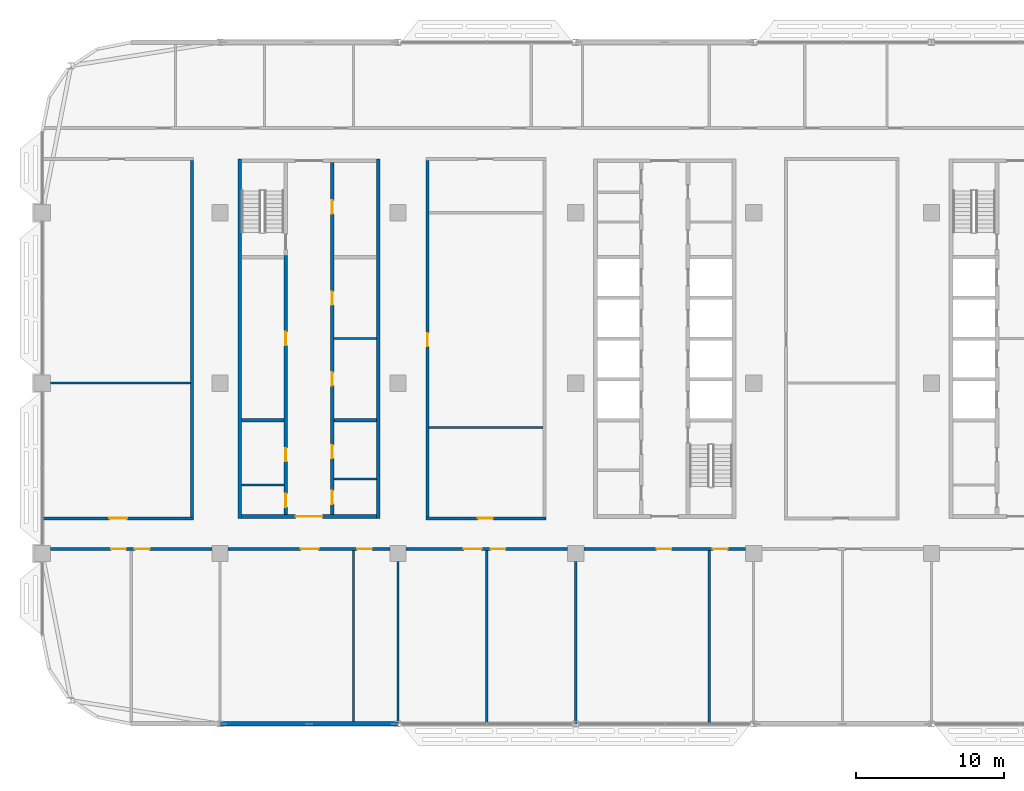
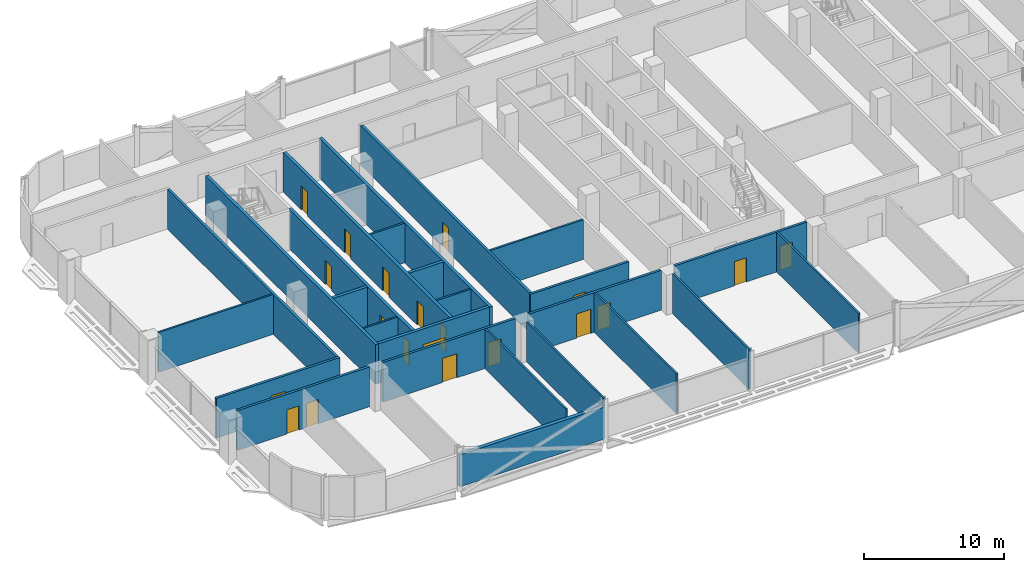
# One storey, part 13 of 30: 26 walls, 20 doors, 20 openings.
"""IFC4 building model written with IfcOpenShell, lengths in metres."""

from ifc_helpers import new_model, si_unit, direction, frame, frame_2d, origin, place, context, subcontext, project, spatial, rectangle, extrude, material, layer, layer_set, type_object, element, fill, save


model = new_model("IFC4")

# Units and contexts
model_context = context("Model", 3, precision=1e-05, world=origin(), true_north=direction((0.0, 1.0)))
body_context = subcontext(model_context, "Body", "Model", "MODEL_VIEW")
ifc_project = project(units=[si_unit("LENGTHUNIT", "METRE"), si_unit("AREAUNIT", "SQUARE_METRE"), si_unit("VOLUMEUNIT", "CUBIC_METRE"), si_unit("PLANEANGLEUNIT", "RADIAN"), si_unit("MASSUNIT", "GRAM", prefix="KILO")], contexts=[model_context])

# Site, building, storey
site_placement = place(None, origin())
site = spatial("IfcSite", under=ifc_project, at=site_placement, CompositionType="ELEMENT")
building_placement = place(site_placement, origin())
building = spatial("IfcBuilding", under=site, at=building_placement, Name="Mahtab Terrace Research Tower", CompositionType="ELEMENT")
storey_placement = place(building_placement, frame((0.0, 0.0, 201.5)))
storey = spatial("IfcBuildingStorey", under=building, at=storey_placement, Name="L48", CompositionType="ELEMENT", Elevation=201.5)

# Walls
ifc_material_1 = material(Name="Gypsum board partition")
ifc_layer_1 = layer(ifc_material_1, 0.14990234375)
ifc_layer_set_1 = layer_set([ifc_layer_1], Name="Core partition 150")
wall_type_1 = type_object("IfcWallType", Name="Core partition 150", PredefinedType="PARTITIONING", material=ifc_layer_set_1)
for number, where, z_axis, x_axis, name in (
    (1, (-22.300048828125, 3.0, 0.0), (0.0, 0.0, 1.0), (1.0, 0.0, 0.0), "Core wall A pEL0"),
    (2, (-28.550048828125, -6.875, 0.0), (0.0, 0.0, 1.0), (1.0, 0.0, 0.0), "Core wall A pWS-988"),
    (3, (-22.300048828125, -6.47509765625, 0.0), (0.0, 0.0, 1.0), (1.0, 0.0, 0.0), "Core wall A pES-948"),
):
    element("IfcWall", number, at=place(storey_placement, frame(where, z_axis=z_axis, x_axis=x_axis)), inside=storey, type_object=wall_type_1, Name=name, PredefinedType="PARTITIONING", context=body_context, shape_type="SweptSolid", body=[
        extrude(rectangle(XDim=2.85009765625, YDim=0.14990234375, at=frame_2d((1.425048828125, 0.0))), origin(), (0.0, 0.0, 1.0), 3.4599609375),
    ])
ifc_material_2 = material(Name="Concrete C70/85", Category="concrete")
ifc_layer_2 = layer(ifc_material_2, 0.25)
ifc_layer_set_2 = layer_set([ifc_layer_2], Name="Core wall 250")
wall_type_2 = type_object("IfcWallType", Name="Core wall 250", PredefinedType="SOLIDWALL", material=ifc_layer_set_2)
for number, where, z_axis, x_axis, name in (
    (4, (-28.675048828125, 15.125, 0.0), (0.0, 0.0, 1.0), (0.0, -1.0, 0.0), "Core wall A outerW"),
    (5, (-19.324951171875, -9.125, 0.0), (0.0, 0.0, 1.0), (0.0, 1.0, 0.0), "Core wall A outerE"),
):
    element("IfcWall", number, at=place(storey_placement, frame(where, z_axis=z_axis, x_axis=x_axis)), inside=storey, type_object=wall_type_2, Name=name, PredefinedType="SOLIDWALL", context=body_context, shape_type="SweptSolid", body=[
        extrude(rectangle(XDim=24.25, YDim=0.25, at=frame_2d((12.125, 0.0))), origin(), (0.0, 0.0, 1.0), 3.4599609375),
    ])

# Wall, opening, door
wall_1_placement = place(storey_placement, frame((-19.449951171875, -9.0, 0.0), z_axis=(0.0, 0.0, 1.0), x_axis=(-1.0, 0.0, 0.0)))
wall_1 = element("IfcWall", 6, at=wall_1_placement, inside=storey, type_object=wall_type_2, Name="Core wall A endS", PredefinedType="SOLIDWALL", context=body_context, shape_type="SweptSolid", body=[
    extrude(rectangle(XDim=9.10009765625, YDim=0.25, at=frame_2d((4.550048828125, 0.0))), origin(), (0.0, 0.0, 1.0), 3.4599609375),
])
opening_1_placement = place(wall_1_placement, frame((3.64990234375, 0.0, 0.0)))
opening_1 = element("IfcOpeningElement", 7, at=opening_1_placement, cuts=wall_1, Name="Opening A-S1", PredefinedType="OPENING", context=body_context, shape_type="SweptSolid", body=[
    extrude(rectangle(XDim=1.800048828125, YDim=2.10009765625, at=frame_2d((0.89990234375, 1.050048828125))), frame((0.0, 0.135009765625, 0.0), z_axis=(0.0, -1.0, 0.0), x_axis=(1.0, 0.0, 0.0)), (0.0, 0.0, 1.0), 0.27001953125),
])
ifc_material_3 = material(Name="Steel fire door", Category="steel")
door_type_1 = type_object("IfcDoorType", Name="Lobby double door 1800x2100 1 HR", OperationType="DOUBLE_DOOR_SINGLE_SWING", PredefinedType="DOOR", material=ifc_material_3)
door_1_placement = place(opening_1_placement, origin())
door_1 = element("IfcDoor", 8, at=door_1_placement, inside=storey, type_object=door_type_1, Name="Core entrance door A S", OperationType="DOUBLE_DOOR_SINGLE_SWING", OverallHeight=2.10009765625, OverallWidth=1.800048828125, PredefinedType="DOOR", context=body_context, shape_type="SweptSolid", body=[
    extrude(rectangle(XDim=1.800048828125, YDim=2.10009765625, at=frame_2d((0.89990234375, 1.050048828125))), frame((0.0, 0.02490234375, 0.0), z_axis=(0.0, -1.0, 0.0), x_axis=(1.0, 0.0, 0.0)), (0.0, 0.0, 1.0), 0.050048828125),
])
fill(opening_1, door_1)

# Wall, openings, doors
wall_2_placement = place(storey_placement, frame((-25.574951171875, -8.875, 0.0), z_axis=(0.0, 0.0, 1.0), x_axis=(0.0, 1.0, 0.0)))
wall_2 = element("IfcWall", 9, at=wall_2_placement, inside=storey, type_object=wall_type_2, Name="Core wall A innerWSL", PredefinedType="SOLIDWALL", context=body_context, shape_type="SweptSolid", body=[
    extrude(rectangle(XDim=17.5, YDim=0.25, at=frame_2d((8.75, 0.0))), origin(), (0.0, 0.0, 1.0), 3.4599609375),
])
opening_2_placement = place(wall_2_placement, frame((11.425048828125, 0.0, 0.0)))
opening_2 = element("IfcOpeningElement", 10, at=opening_2_placement, cuts=wall_2, Name="Opening A-R1", PredefinedType="OPENING", context=body_context, shape_type="SweptSolid", body=[
    extrude(rectangle(XDim=0.89990234375, YDim=2.10009765625, at=frame_2d((0.449951171875, 1.050048828125))), frame((0.0, 0.135009765625, 0.0), z_axis=(0.0, -1.0, 0.0), x_axis=(1.0, 0.0, 0.0)), (0.0, 0.0, 1.0), 0.27001953125),
])
opening_3_placement = place(wall_2_placement, frame((0.512451171875, 0.0, 0.0)))
opening_3 = element("IfcOpeningElement", 11, at=opening_3_placement, cuts=wall_2, Name="Opening A-R4", PredefinedType="OPENING", context=body_context, shape_type="SweptSolid", body=[
    extrude(rectangle(XDim=0.89990234375, YDim=2.10009765625, at=frame_2d((0.449951171875, 1.050048828125))), frame((0.0, 0.135009765625, 0.0), z_axis=(0.0, -1.0, 0.0), x_axis=(1.0, 0.0, 0.0)), (0.0, 0.0, 1.0), 0.27001953125),
])
opening_4_placement = place(wall_2_placement, frame((3.58740234375, 0.0, 0.0)))
opening_4 = element("IfcOpeningElement", 12, at=opening_4_placement, cuts=wall_2, Name="Opening A-R5", PredefinedType="OPENING", context=body_context, shape_type="SweptSolid", body=[
    extrude(rectangle(XDim=0.89990234375, YDim=2.10009765625, at=frame_2d((0.449951171875, 1.050048828125))), frame((0.0, 0.135009765625, 0.0), z_axis=(0.0, -1.0, 0.0), x_axis=(1.0, 0.0, 0.0)), (0.0, 0.0, 1.0), 0.27001953125),
])
door_type_2 = type_object("IfcDoorType", Name="Room door 900x2100 1 HR", OperationType="NOTDEFINED", PredefinedType="DOOR", material=ifc_material_3)
door_2_placement = place(opening_2_placement, origin())
door_2 = element("IfcDoor", 13, at=door_2_placement, inside=storey, type_object=door_type_2, Name="Plant room door", OperationType="SINGLE_SWING_LEFT", OverallHeight=2.10009765625, OverallWidth=0.89990234375, PredefinedType="DOOR", context=body_context, shape_type="SweptSolid", body=[
    extrude(rectangle(XDim=0.89990234375, YDim=2.10009765625, at=frame_2d((0.449951171875, 1.050048828125))), frame((0.0, 0.02490234375, 0.0), z_axis=(0.0, -1.0, 0.0), x_axis=(1.0, 0.0, 0.0)), (0.0, 0.0, 1.0), 0.050048828125),
])
fill(opening_2, door_2)
door_3_placement = place(opening_3_placement, origin())
door_3 = element("IfcDoor", 14, at=door_3_placement, inside=storey, type_object=door_type_2, Name="Accessible WC door", OperationType="SINGLE_SWING_RIGHT", OverallHeight=2.10009765625, OverallWidth=0.89990234375, PredefinedType="DOOR", context=body_context, shape_type="SweptSolid", body=[
    extrude(rectangle(XDim=0.89990234375, YDim=2.10009765625, at=frame_2d((0.449951171875, 1.050048828125))), frame((0.0, 0.02490234375, 0.0), z_axis=(0.0, -1.0, 0.0), x_axis=(1.0, 0.0, 0.0)), (0.0, 0.0, 1.0), 0.050048828125),
])
fill(opening_3, door_3)
door_4_placement = place(opening_4_placement, origin())
door_4 = element("IfcDoor", 15, at=door_4_placement, inside=storey, type_object=door_type_2, Name="WC block door", OperationType="SINGLE_SWING_LEFT", OverallHeight=2.10009765625, OverallWidth=0.89990234375, PredefinedType="DOOR", context=body_context, shape_type="SweptSolid", body=[
    extrude(rectangle(XDim=0.89990234375, YDim=2.10009765625, at=frame_2d((0.449951171875, 1.050048828125))), frame((0.0, 0.02490234375, 0.0), z_axis=(0.0, -1.0, 0.0), x_axis=(1.0, 0.0, 0.0)), (0.0, 0.0, 1.0), 0.050048828125),
])
fill(opening_4, door_4)

wall_3_placement = place(storey_placement, frame((-22.425048828125, 14.875, 0.0), z_axis=(0.0, 0.0, 1.0), x_axis=(0.0, -1.0, 0.0)))
wall_3 = element("IfcWall", 16, at=wall_3_placement, inside=storey, type_object=wall_type_2, Name="Core wall A innerESLN", PredefinedType="SOLIDWALL", context=body_context, shape_type="SweptSolid", body=[
    extrude(rectangle(XDim=23.75, YDim=0.25, at=frame_2d((11.875, 0.0))), origin(), (0.0, 0.0, 1.0), 3.4599609375),
])
opening_5_placement = place(wall_3_placement, frame((14.14990234375, 0.0, 0.0)))
opening_5 = element("IfcOpeningElement", 17, at=opening_5_placement, cuts=wall_3, Name="Opening A-R2", PredefinedType="OPENING", context=body_context, shape_type="SweptSolid", body=[
    extrude(rectangle(XDim=0.89990234375, YDim=2.10009765625, at=frame_2d((0.449951171875, 1.050048828125))), frame((0.0, 0.135009765625, 0.0), z_axis=(0.0, -1.0, 0.0), x_axis=(1.0, 0.0, 0.0)), (0.0, 0.0, 1.0), 0.27001953125),
])
opening_6_placement = place(wall_3_placement, frame((8.699951171875, 0.0, 0.0)))
opening_6 = element("IfcOpeningElement", 18, at=opening_6_placement, cuts=wall_3, Name="Opening A-R3", PredefinedType="OPENING", context=body_context, shape_type="SweptSolid", body=[
    extrude(rectangle(XDim=0.89990234375, YDim=2.10009765625, at=frame_2d((0.449951171875, 1.050048828125))), frame((0.0, 0.135009765625, 0.0), z_axis=(0.0, -1.0, 0.0), x_axis=(1.0, 0.0, 0.0)), (0.0, 0.0, 1.0), 0.27001953125),
])
opening_7_placement = place(wall_3_placement, frame((22.137451171875, 0.0, 0.0)))
opening_7 = element("IfcOpeningElement", 19, at=opening_7_placement, cuts=wall_3, Name="Opening A-R6", PredefinedType="OPENING", context=body_context, shape_type="SweptSolid", body=[
    extrude(rectangle(XDim=0.89990234375, YDim=2.10009765625, at=frame_2d((0.449951171875, 1.050048828125))), frame((0.0, 0.135009765625, 0.0), z_axis=(0.0, -1.0, 0.0), x_axis=(1.0, 0.0, 0.0)), (0.0, 0.0, 1.0), 0.27001953125),
])
opening_8_placement = place(wall_3_placement, frame((19.0625, 0.0, 0.0)))
opening_8 = element("IfcOpeningElement", 20, at=opening_8_placement, cuts=wall_3, Name="Opening A-R7", PredefinedType="OPENING", context=body_context, shape_type="SweptSolid", body=[
    extrude(rectangle(XDim=0.89990234375, YDim=2.10009765625, at=frame_2d((0.449951171875, 1.050048828125))), frame((0.0, 0.135009765625, 0.0), z_axis=(0.0, -1.0, 0.0), x_axis=(1.0, 0.0, 0.0)), (0.0, 0.0, 1.0), 0.27001953125),
])
opening_9_placement = place(wall_3_placement, frame((2.550048828125, 0.0, 0.0)))
opening_9 = element("IfcOpeningElement", 21, at=opening_9_placement, cuts=wall_3, Name="Opening A-R8", PredefinedType="OPENING", context=body_context, shape_type="SweptSolid", body=[
    extrude(rectangle(XDim=0.89990234375, YDim=2.10009765625, at=frame_2d((0.449951171875, 1.050048828125))), frame((0.0, 0.135009765625, 0.0), z_axis=(0.0, -1.0, 0.0), x_axis=(1.0, 0.0, 0.0)), (0.0, 0.0, 1.0), 0.27001953125),
])
door_5_placement = place(opening_5_placement, origin())
door_5 = element("IfcDoor", 22, at=door_5_placement, inside=storey, type_object=door_type_2, Name="Document store door", OperationType="SINGLE_SWING_RIGHT", OverallHeight=2.10009765625, OverallWidth=0.89990234375, PredefinedType="DOOR", context=body_context, shape_type="SweptSolid", body=[
    extrude(rectangle(XDim=0.89990234375, YDim=2.10009765625, at=frame_2d((0.449951171875, 1.050048828125))), frame((0.0, 0.02490234375, 0.0), z_axis=(0.0, -1.0, 0.0), x_axis=(1.0, 0.0, 0.0)), (0.0, 0.0, 1.0), 0.050048828125),
])
fill(opening_5, door_5)
door_6_placement = place(opening_6_placement, origin())
door_6 = element("IfcDoor", 23, at=door_6_placement, inside=storey, type_object=door_type_2, Name="IT equipment room door", OperationType="SINGLE_SWING_LEFT", OverallHeight=2.10009765625, OverallWidth=0.89990234375, PredefinedType="DOOR", context=body_context, shape_type="SweptSolid", body=[
    extrude(rectangle(XDim=0.89990234375, YDim=2.10009765625, at=frame_2d((0.449951171875, 1.050048828125))), frame((0.0, 0.02490234375, 0.0), z_axis=(0.0, -1.0, 0.0), x_axis=(1.0, 0.0, 0.0)), (0.0, 0.0, 1.0), 0.050048828125),
])
fill(opening_6, door_6)
door_7_placement = place(opening_7_placement, origin())
door_7 = element("IfcDoor", 24, at=door_7_placement, inside=storey, type_object=door_type_2, Name="Mechanical riser room door", OperationType="SINGLE_SWING_RIGHT", OverallHeight=2.10009765625, OverallWidth=0.89990234375, PredefinedType="DOOR", context=body_context, shape_type="SweptSolid", body=[
    extrude(rectangle(XDim=0.89990234375, YDim=2.10009765625, at=frame_2d((0.449951171875, 1.050048828125))), frame((0.0, 0.02490234375, 0.0), z_axis=(0.0, -1.0, 0.0), x_axis=(1.0, 0.0, 0.0)), (0.0, 0.0, 1.0), 0.050048828125),
])
fill(opening_7, door_7)
door_8_placement = place(opening_8_placement, origin())
door_8 = element("IfcDoor", 25, at=door_8_placement, inside=storey, type_object=door_type_2, Name="Chemical store door", OperationType="SINGLE_SWING_LEFT", OverallHeight=2.10009765625, OverallWidth=0.89990234375, PredefinedType="DOOR", context=body_context, shape_type="SweptSolid", body=[
    extrude(rectangle(XDim=0.89990234375, YDim=2.10009765625, at=frame_2d((0.449951171875, 1.050048828125))), frame((0.0, 0.02490234375, 0.0), z_axis=(0.0, -1.0, 0.0), x_axis=(1.0, 0.0, 0.0)), (0.0, 0.0, 1.0), 0.050048828125),
])
fill(opening_8, door_8)
door_9_placement = place(opening_9_placement, origin())
door_9 = element("IfcDoor", 26, at=door_9_placement, inside=storey, type_object=door_type_2, Name="Gas cylinder store door", OperationType="SINGLE_SWING_RIGHT", OverallHeight=2.10009765625, OverallWidth=0.89990234375, PredefinedType="DOOR", context=body_context, shape_type="SweptSolid", body=[
    extrude(rectangle(XDim=0.89990234375, YDim=2.10009765625, at=frame_2d((0.449951171875, 1.050048828125))), frame((0.0, 0.02490234375, 0.0), z_axis=(0.0, -1.0, 0.0), x_axis=(1.0, 0.0, 0.0)), (0.0, 0.0, 1.0), 0.050048828125),
])
fill(opening_9, door_9)

# Walls
for number, where, z_axis, x_axis, name in (
    (27, (-28.550048828125, -2.5, 0.0), (0.0, 0.0, 1.0), (1.0, 0.0, 0.0), "Core wall A divW0"),
    (28, (-22.300048828125, -2.5, 0.0), (0.0, 0.0, 1.0), (1.0, 0.0, 0.0), "Core wall A divE0"),
):
    element("IfcWall", number, at=place(storey_placement, frame(where, z_axis=z_axis, x_axis=x_axis)), inside=storey, type_object=wall_type_2, Name=name, PredefinedType="SOLIDWALL", context=body_context, shape_type="SweptSolid", body=[
        extrude(rectangle(XDim=2.85009765625, YDim=0.25, at=frame_2d((1.425048828125, 0.0))), origin(), (0.0, 0.0, 1.0), 3.4599609375),
    ])
ifc_material_4 = material(Name="Black aluminium cladding panel", Category="aluminium")
ifc_layer_3 = layer(ifc_material_4, 0.300048828125)
ifc_layer_set_3 = layer_set([ifc_layer_3], Name="Opaque facade wall 300")
wall_type_3 = type_object("IfcWallType", Name="Opaque facade wall 300", PredefinedType="NOTDEFINED", material=ifc_layer_set_3)
wall_4_placement = place(storey_placement, frame((-29.987548828125, -23.0, 0.0), z_axis=(0.0, 0.0, 1.0), x_axis=(1.0, 0.0, 0.0)))
element("IfcWall", 29, at=wall_4_placement, inside=storey, type_object=wall_type_3, Name="Opaque facade wall L48 S24", PredefinedType="NOTDEFINED", context=body_context, shape_type="SweptSolid", body=[
    extrude(rectangle(XDim=11.97509765625, YDim=0.300048828125, at=frame_2d((5.987548828125, 0.0))), origin(), (0.0, 0.0, 1.0), 2.78173828125),
])

# Wall, openings, doors
ifc_material_5 = material(Name="Gypsum board corridor wall on steel studs", Category="steel")
ifc_layer_4 = layer(ifc_material_5, 0.199951171875)
ifc_layer_set_4 = layer_set([ifc_layer_4], Name="WALL CORRIDOR 200")
wall_type_4 = type_object("IfcWallType", Name="WALL CORRIDOR 200", PredefinedType="PARTITIONING", material=ifc_layer_set_4)
wall_5_placement = place(storey_placement, frame((-41.449951171875, -11.199951171875, 0.0), z_axis=(0.0, 0.0, 1.0), x_axis=(1.0, 0.0, 0.0)))
wall_5 = element("IfcWall", 30, at=wall_5_placement, inside=storey, type_object=wall_type_4, Name="L48-W001", PredefinedType="PARTITIONING", context=body_context, shape_type="SweptSolid", body=[
    extrude(rectangle(XDim=10.89990234375, YDim=0.199951171875, at=frame_2d((5.449951171875, 0.0))), origin(), (0.0, 0.0, 1.0), 3.4599609375),
])
opening_10_placement = place(wall_5_placement, frame((4.10009765625, 0.0, 0.0)))
opening_10 = element("IfcOpeningElement", 31, at=opening_10_placement, cuts=wall_5, Name="Opening L48-101", PredefinedType="OPENING", context=body_context, shape_type="SweptSolid", body=[
    extrude(rectangle(XDim=1.0, YDim=2.10009765625, at=frame_2d((0.5, 1.050048828125))), frame((0.0, 0.10986328125, 0.0), z_axis=(0.0, -1.0, 0.0), x_axis=(1.0, 0.0, 0.0)), (0.0, 0.0, 1.0), 0.219970703125),
])
opening_11_placement = place(wall_5_placement, frame((5.699951171875, 0.0, 0.0)))
opening_11 = element("IfcOpeningElement", 32, at=opening_11_placement, cuts=wall_5, Name="Opening L48-102", PredefinedType="OPENING", context=body_context, shape_type="SweptSolid", body=[
    extrude(rectangle(XDim=1.0, YDim=2.10009765625, at=frame_2d((0.5, 1.050048828125))), frame((0.0, 0.10986328125, 0.0), z_axis=(0.0, -1.0, 0.0), x_axis=(1.0, 0.0, 0.0)), (0.0, 0.0, 1.0), 0.219970703125),
])
ifc_material_6 = material(Name="Timber door leaf in steel frame", Category="steel")
door_type_3 = type_object("IfcDoorType", Name="DOOR 1000X2100 FD30S", OperationType="SINGLE_SWING_LEFT", PredefinedType="DOOR", material=ifc_material_6)
door_10_placement = place(opening_10_placement, origin())
door_10 = element("IfcDoor", 33, at=door_10_placement, inside=storey, type_object=door_type_3, Name="Door L48-101", OperationType="SINGLE_SWING_RIGHT", OverallHeight=2.10009765625, OverallWidth=1.0, PredefinedType="DOOR", context=body_context, shape_type="SweptSolid", body=[
    extrude(rectangle(XDim=1.0, YDim=2.10009765625, at=frame_2d((0.5, 1.050048828125))), frame((0.0, 0.02490234375, 0.0), z_axis=(0.0, -1.0, 0.0), x_axis=(1.0, 0.0, 0.0)), (0.0, 0.0, 1.0), 0.050048828125),
])
fill(opening_10, door_10)
door_11_placement = place(opening_11_placement, origin())
door_11 = element("IfcDoor", 34, at=door_11_placement, inside=storey, type_object=door_type_3, Name="Door L48-102", OperationType="SINGLE_SWING_LEFT", OverallHeight=2.10009765625, OverallWidth=1.0, PredefinedType="DOOR", context=body_context, shape_type="SweptSolid", body=[
    extrude(rectangle(XDim=1.0, YDim=2.10009765625, at=frame_2d((0.5, 1.050048828125))), frame((0.0, 0.02490234375, 0.0), z_axis=(0.0, -1.0, 0.0), x_axis=(1.0, 0.0, 0.0)), (0.0, 0.0, 1.0), 0.050048828125),
])
fill(opening_11, door_11)

wall_6_placement = place(storey_placement, frame((-29.449951171875, -11.199951171875, 0.0), z_axis=(0.0, 0.0, 1.0), x_axis=(1.0, 0.0, 0.0)))
wall_6 = element("IfcWall", 35, at=wall_6_placement, inside=storey, type_object=wall_type_4, Name="L48-W002", PredefinedType="PARTITIONING", context=body_context, shape_type="SweptSolid", body=[
    extrude(rectangle(XDim=10.89990234375, YDim=0.199951171875, at=frame_2d((5.449951171875, 0.0))), origin(), (0.0, 0.0, 1.0), 3.4599609375),
])
opening_12_placement = place(wall_6_placement, frame((4.89990234375, 0.0, 0.0)))
opening_12 = element("IfcOpeningElement", 36, at=opening_12_placement, cuts=wall_6, Name="Opening L48-103", PredefinedType="OPENING", context=body_context, shape_type="SweptSolid", body=[
    extrude(rectangle(XDim=1.199951171875, YDim=2.10009765625, at=frame_2d((0.60009765625, 1.050048828125))), frame((0.0, 0.10986328125, 0.0), z_axis=(0.0, -1.0, 0.0), x_axis=(1.0, 0.0, 0.0)), (0.0, 0.0, 1.0), 0.219970703125),
])
opening_13_placement = place(wall_6_placement, frame((8.699951171875, 0.0, 0.0)))
opening_13 = element("IfcOpeningElement", 37, at=opening_13_placement, cuts=wall_6, Name="Opening L48-104", PredefinedType="OPENING", context=body_context, shape_type="SweptSolid", body=[
    extrude(rectangle(XDim=1.0, YDim=2.10009765625, at=frame_2d((0.5, 1.050048828125))), frame((0.0, 0.10986328125, 0.0), z_axis=(0.0, -1.0, 0.0), x_axis=(1.0, 0.0, 0.0)), (0.0, 0.0, 1.0), 0.219970703125),
])
door_12_placement = place(opening_13_placement, origin())
door_12 = element("IfcDoor", 38, at=door_12_placement, inside=storey, type_object=door_type_3, Name="Door L48-104", OperationType="SINGLE_SWING_LEFT", OverallHeight=2.10009765625, OverallWidth=1.0, PredefinedType="DOOR", context=body_context, shape_type="SweptSolid", body=[
    extrude(rectangle(XDim=1.0, YDim=2.10009765625, at=frame_2d((0.5, 1.050048828125))), frame((0.0, 0.02490234375, 0.0), z_axis=(0.0, -1.0, 0.0), x_axis=(1.0, 0.0, 0.0)), (0.0, 0.0, 1.0), 0.050048828125),
])
fill(opening_13, door_12)
door_type_4 = type_object("IfcDoorType", Name="DOOR 1200X2100 FD30S", OperationType="SINGLE_SWING_LEFT", PredefinedType="DOOR", material=ifc_material_6)
door_13_placement = place(opening_12_placement, origin())
door_13 = element("IfcDoor", 39, at=door_13_placement, inside=storey, type_object=door_type_4, Name="Door L48-103", OperationType="SINGLE_SWING_LEFT", OverallHeight=2.10009765625, OverallWidth=1.199951171875, PredefinedType="DOOR", context=body_context, shape_type="SweptSolid", body=[
    extrude(rectangle(XDim=1.199951171875, YDim=2.10009765625, at=frame_2d((0.60009765625, 1.050048828125))), frame((0.0, 0.02490234375, 0.0), z_axis=(0.0, -1.0, 0.0), x_axis=(1.0, 0.0, 0.0)), (0.0, 0.0, 1.0), 0.050048828125),
])
fill(opening_12, door_13)

wall_7_placement = place(storey_placement, frame((-17.449951171875, -11.199951171875, 0.0), z_axis=(0.0, 0.0, 1.0), x_axis=(1.0, 0.0, 0.0)))
wall_7 = element("IfcWall", 40, at=wall_7_placement, inside=storey, type_object=wall_type_4, Name="L48-W003", PredefinedType="PARTITIONING", context=body_context, shape_type="SweptSolid", body=[
    extrude(rectangle(XDim=10.89990234375, YDim=0.199951171875, at=frame_2d((5.449951171875, 0.0))), origin(), (0.0, 0.0, 1.0), 3.4599609375),
])
opening_14_placement = place(wall_7_placement, frame((3.89990234375, 0.0, 0.0)))
opening_14 = element("IfcOpeningElement", 41, at=opening_14_placement, cuts=wall_7, Name="Opening L48-105", PredefinedType="OPENING", context=body_context, shape_type="SweptSolid", body=[
    extrude(rectangle(XDim=1.199951171875, YDim=2.10009765625, at=frame_2d((0.60009765625, 1.050048828125))), frame((0.0, 0.10986328125, 0.0), z_axis=(0.0, -1.0, 0.0), x_axis=(1.0, 0.0, 0.0)), (0.0, 0.0, 1.0), 0.219970703125),
])
opening_15_placement = place(wall_7_placement, frame((5.699951171875, 0.0, 0.0)))
opening_15 = element("IfcOpeningElement", 42, at=opening_15_placement, cuts=wall_7, Name="Opening L48-106", PredefinedType="OPENING", context=body_context, shape_type="SweptSolid", body=[
    extrude(rectangle(XDim=1.0, YDim=2.10009765625, at=frame_2d((0.5, 1.050048828125))), frame((0.0, 0.10986328125, 0.0), z_axis=(0.0, -1.0, 0.0), x_axis=(1.0, 0.0, 0.0)), (0.0, 0.0, 1.0), 0.219970703125),
])
door_14_placement = place(opening_15_placement, origin())
door_14 = element("IfcDoor", 43, at=door_14_placement, inside=storey, type_object=door_type_3, Name="Door L48-106", OperationType="SINGLE_SWING_LEFT", OverallHeight=2.10009765625, OverallWidth=1.0, PredefinedType="DOOR", context=body_context, shape_type="SweptSolid", body=[
    extrude(rectangle(XDim=1.0, YDim=2.10009765625, at=frame_2d((0.5, 1.050048828125))), frame((0.0, 0.02490234375, 0.0), z_axis=(0.0, -1.0, 0.0), x_axis=(1.0, 0.0, 0.0)), (0.0, 0.0, 1.0), 0.050048828125),
])
fill(opening_15, door_14)
door_15_placement = place(opening_14_placement, origin())
door_15 = element("IfcDoor", 44, at=door_15_placement, inside=storey, type_object=door_type_4, Name="Door L48-105", OperationType="SINGLE_SWING_RIGHT", OverallHeight=2.10009765625, OverallWidth=1.199951171875, PredefinedType="DOOR", context=body_context, shape_type="SweptSolid", body=[
    extrude(rectangle(XDim=1.199951171875, YDim=2.10009765625, at=frame_2d((0.60009765625, 1.050048828125))), frame((0.0, 0.02490234375, 0.0), z_axis=(0.0, -1.0, 0.0), x_axis=(1.0, 0.0, 0.0)), (0.0, 0.0, 1.0), 0.050048828125),
])
fill(opening_14, door_15)

wall_8_placement = place(storey_placement, frame((-5.449951171875, -11.199951171875, 0.0), z_axis=(0.0, 0.0, 1.0), x_axis=(1.0, 0.0, 0.0)))
wall_8 = element("IfcWall", 45, at=wall_8_placement, inside=storey, type_object=wall_type_4, Name="L48-W004", PredefinedType="PARTITIONING", context=body_context, shape_type="SweptSolid", body=[
    extrude(rectangle(XDim=10.89990234375, YDim=0.199951171875, at=frame_2d((5.449951171875, 0.0))), origin(), (0.0, 0.0, 1.0), 3.4599609375),
])
opening_16_placement = place(wall_8_placement, frame((4.89990234375, 0.0, 0.0)))
opening_16 = element("IfcOpeningElement", 46, at=opening_16_placement, cuts=wall_8, Name="Opening L48-107", PredefinedType="OPENING", context=body_context, shape_type="SweptSolid", body=[
    extrude(rectangle(XDim=1.0, YDim=2.10009765625, at=frame_2d((0.5, 1.050048828125))), frame((0.0, 0.10986328125, 0.0), z_axis=(0.0, -1.0, 0.0), x_axis=(1.0, 0.0, 0.0)), (0.0, 0.0, 1.0), 0.219970703125),
])
opening_17_placement = place(wall_8_placement, frame((8.699951171875, 0.0, 0.0)))
opening_17 = element("IfcOpeningElement", 47, at=opening_17_placement, cuts=wall_8, Name="Opening L48-108", PredefinedType="OPENING", context=body_context, shape_type="SweptSolid", body=[
    extrude(rectangle(XDim=1.0, YDim=2.10009765625, at=frame_2d((0.5, 1.050048828125))), frame((0.0, 0.10986328125, 0.0), z_axis=(0.0, -1.0, 0.0), x_axis=(1.0, 0.0, 0.0)), (0.0, 0.0, 1.0), 0.219970703125),
])
door_16_placement = place(opening_16_placement, origin())
door_16 = element("IfcDoor", 48, at=door_16_placement, inside=storey, type_object=door_type_3, Name="Door L48-107", OperationType="SINGLE_SWING_RIGHT", OverallHeight=2.10009765625, OverallWidth=1.0, PredefinedType="DOOR", context=body_context, shape_type="SweptSolid", body=[
    extrude(rectangle(XDim=1.0, YDim=2.10009765625, at=frame_2d((0.5, 1.050048828125))), frame((0.0, 0.02490234375, 0.0), z_axis=(0.0, -1.0, 0.0), x_axis=(1.0, 0.0, 0.0)), (0.0, 0.0, 1.0), 0.050048828125),
])
fill(opening_16, door_16)
door_17_placement = place(opening_17_placement, origin())
door_17 = element("IfcDoor", 49, at=door_17_placement, inside=storey, type_object=door_type_3, Name="Door L48-108", OperationType="SINGLE_SWING_LEFT", OverallHeight=2.10009765625, OverallWidth=1.0, PredefinedType="DOOR", context=body_context, shape_type="SweptSolid", body=[
    extrude(rectangle(XDim=1.0, YDim=2.10009765625, at=frame_2d((0.5, 1.050048828125))), frame((0.0, 0.02490234375, 0.0), z_axis=(0.0, -1.0, 0.0), x_axis=(1.0, 0.0, 0.0)), (0.0, 0.0, 1.0), 0.050048828125),
])
fill(opening_17, door_17)

# Wall, opening, door
wall_9_placement = place(storey_placement, frame((-41.97509765625, -9.125, 0.0), z_axis=(0.0, 0.0, 1.0), x_axis=(1.0, 0.0, 0.0)))
wall_9 = element("IfcWall", 50, at=wall_9_placement, inside=storey, type_object=wall_type_4, Name="L48-W009", PredefinedType="PARTITIONING", context=body_context, shape_type="SweptSolid", body=[
    extrude(rectangle(XDim=10.175048828125, YDim=0.199951171875, at=frame_2d((5.08740234375, 0.0))), origin(), (0.0, 0.0, 1.0), 3.4599609375),
])
opening_18_placement = place(wall_9_placement, frame((4.5, 0.0, 0.0)))
opening_18 = element("IfcOpeningElement", 51, at=opening_18_placement, cuts=wall_9, Name="Opening L48-118", PredefinedType="OPENING", context=body_context, shape_type="SweptSolid", body=[
    extrude(rectangle(XDim=1.199951171875, YDim=2.10009765625, at=frame_2d((0.60009765625, 1.050048828125))), frame((0.0, 0.10986328125, 0.0), z_axis=(0.0, -1.0, 0.0), x_axis=(1.0, 0.0, 0.0)), (0.0, 0.0, 1.0), 0.219970703125),
])
door_18_placement = place(opening_18_placement, origin())
door_18 = element("IfcDoor", 52, at=door_18_placement, inside=storey, type_object=door_type_4, Name="Door L48-118", OperationType="SINGLE_SWING_RIGHT", OverallHeight=2.10009765625, OverallWidth=1.199951171875, PredefinedType="DOOR", context=body_context, shape_type="SweptSolid", body=[
    extrude(rectangle(XDim=1.199951171875, YDim=2.10009765625, at=frame_2d((0.60009765625, 1.050048828125))), frame((0.0, 0.02490234375, 0.0), z_axis=(0.0, -1.0, 0.0), x_axis=(1.0, 0.0, 0.0)), (0.0, 0.0, 1.0), 0.050048828125),
])
fill(opening_18, door_18)

wall_10_placement = place(storey_placement, frame((-16.10009765625, -9.125, 0.0), z_axis=(0.0, 0.0, 1.0), x_axis=(1.0, 0.0, 0.0)))
wall_10 = element("IfcWall", 53, at=wall_10_placement, inside=storey, type_object=wall_type_4, Name="L48-W010", PredefinedType="PARTITIONING", context=body_context, shape_type="SweptSolid", body=[
    extrude(rectangle(XDim=8.10009765625, YDim=0.199951171875, at=frame_2d((4.050048828125, 0.0))), origin(), (0.0, 0.0, 1.0), 3.4599609375),
])
opening_19_placement = place(wall_10_placement, frame((3.5, 0.0, 0.0)))
opening_19 = element("IfcOpeningElement", 54, at=opening_19_placement, cuts=wall_10, Name="Opening L48-116", PredefinedType="OPENING", context=body_context, shape_type="SweptSolid", body=[
    extrude(rectangle(XDim=1.0, YDim=2.10009765625, at=frame_2d((0.5, 1.050048828125))), frame((0.0, 0.10986328125, 0.0), z_axis=(0.0, -1.0, 0.0), x_axis=(1.0, 0.0, 0.0)), (0.0, 0.0, 1.0), 0.219970703125),
])
door_19_placement = place(opening_19_placement, origin())
door_19 = element("IfcDoor", 55, at=door_19_placement, inside=storey, type_object=door_type_3, Name="Door L48-116", OperationType="SINGLE_SWING_LEFT", OverallHeight=2.10009765625, OverallWidth=1.0, PredefinedType="DOOR", context=body_context, shape_type="SweptSolid", body=[
    extrude(rectangle(XDim=1.0, YDim=2.10009765625, at=frame_2d((0.5, 1.050048828125))), frame((0.0, 0.02490234375, 0.0), z_axis=(0.0, -1.0, 0.0), x_axis=(1.0, 0.0, 0.0)), (0.0, 0.0, 1.0), 0.050048828125),
])
fill(opening_19, door_19)

# Wall
wall_11_placement = place(storey_placement, frame((-31.89990234375, -9.02490234375, 0.0), z_axis=(0.0, 0.0, 1.0), x_axis=(0.0, 1.0, 0.0)))
element("IfcWall", 56, at=wall_11_placement, inside=storey, type_object=wall_type_4, Name="L48-W027", PredefinedType="PARTITIONING", context=body_context, shape_type="SweptSolid", body=[
    extrude(rectangle(XDim=24.0498046875, YDim=0.199951171875, at=frame_2d((12.02490234375, 0.0))), origin(), (0.0, 0.0, 1.0), 3.4599609375),
])

# Wall, opening, door
wall_12_placement = place(storey_placement, frame((-16.0, -9.02490234375, 0.0), z_axis=(0.0, 0.0, 1.0), x_axis=(0.0, 1.0, 0.0)))
wall_12 = element("IfcWall", 57, at=wall_12_placement, inside=storey, type_object=wall_type_4, Name="L48-W033", PredefinedType="PARTITIONING", context=body_context, shape_type="SweptSolid", body=[
    extrude(rectangle(XDim=24.0498046875, YDim=0.199951171875, at=frame_2d((12.02490234375, 0.0))), origin(), (0.0, 0.0, 1.0), 3.4599609375),
])
opening_20_placement = place(wall_12_placement, frame((11.5, 0.0, 0.0)))
opening_20 = element("IfcOpeningElement", 58, at=opening_20_placement, cuts=wall_12, Name="Opening L48-120", PredefinedType="OPENING", context=body_context, shape_type="SweptSolid", body=[
    extrude(rectangle(XDim=0.89990234375, YDim=2.10009765625, at=frame_2d((0.449951171875, 1.050048828125))), frame((0.0, 0.10986328125, 0.0), z_axis=(0.0, -1.0, 0.0), x_axis=(1.0, 0.0, 0.0)), (0.0, 0.0, 1.0), 0.219970703125),
])
door_type_5 = type_object("IfcDoorType", Name="DOOR 0900X2100 FD30S", OperationType="SINGLE_SWING_LEFT", PredefinedType="DOOR", material=ifc_material_6)
door_20_placement = place(opening_20_placement, origin())
door_20 = element("IfcDoor", 59, at=door_20_placement, inside=storey, type_object=door_type_5, Name="Door L48-120", OperationType="SINGLE_SWING_RIGHT", OverallHeight=2.10009765625, OverallWidth=0.89990234375, PredefinedType="DOOR", context=body_context, shape_type="SweptSolid", body=[
    extrude(rectangle(XDim=0.89990234375, YDim=2.10009765625, at=frame_2d((0.449951171875, 1.050048828125))), frame((0.0, 0.02490234375, 0.0), z_axis=(0.0, -1.0, 0.0), x_axis=(1.0, 0.0, 0.0)), (0.0, 0.0, 1.0), 0.050048828125),
])
fill(opening_20, door_20)

# Walls
ifc_material_7 = material(Name="Gypsum board partition on steel studs", Category="steel")
ifc_layer_5 = layer(ifc_material_7, 0.14990234375)
ifc_layer_set_5 = layer_set([ifc_layer_5], Name="WALL PARTITION 150")
wall_type_5 = type_object("IfcWallType", Name="WALL PARTITION 150", PredefinedType="PARTITIONING", material=ifc_layer_set_5)
wall_13_placement = place(storey_placement, frame((-15.89990234375, -3.0, 0.0), z_axis=(0.0, 0.0, 1.0), x_axis=(1.0, 0.0, 0.0)))
element("IfcWall", 60, at=wall_13_placement, inside=storey, type_object=wall_type_5, Name="L48-W013", PredefinedType="PARTITIONING", context=body_context, shape_type="SweptSolid", body=[
    extrude(rectangle(XDim=7.699951171875, YDim=0.14990234375, at=frame_2d((3.85009765625, 0.0))), origin(), (0.0, 0.0, 1.0), 3.4599609375),
])
wall_14_placement = place(storey_placement, frame((-41.449951171875, 0.0, 0.0), z_axis=(0.0, 0.0, 1.0), x_axis=(1.0, 0.0, 0.0)))
element("IfcWall", 61, at=wall_14_placement, inside=storey, type_object=wall_type_5, Name="L48-W015", PredefinedType="PARTITIONING", context=body_context, shape_type="SweptSolid", body=[
    extrude(rectangle(XDim=9.449951171875, YDim=0.14990234375, at=frame_2d((4.72509765625, 0.0))), origin(), (0.0, 0.0, 1.0), 3.4599609375),
])
wall_15_placement = place(storey_placement, frame((-21.0, -22.85009765625, 0.0), z_axis=(0.0, 0.0, 1.0), x_axis=(0.0, 1.0, 0.0)))
element("IfcWall", 62, at=wall_15_placement, inside=storey, type_object=wall_type_5, Name="L48-W030", PredefinedType="PARTITIONING", context=body_context, shape_type="SweptSolid", body=[
    extrude(rectangle(XDim=11.550048828125, YDim=0.14990234375, at=frame_2d((5.77490234375, 0.0))), origin(), (0.0, 0.0, 1.0), 3.4599609375),
])
wall_16_placement = place(storey_placement, frame((-18.0, -22.97509765625, 0.0), z_axis=(0.0, 0.0, 1.0), x_axis=(0.0, 1.0, 0.0)))
element("IfcWall", 63, at=wall_16_placement, inside=storey, type_object=wall_type_5, Name="L48-W032", PredefinedType="PARTITIONING", context=body_context, shape_type="SweptSolid", body=[
    extrude(rectangle(XDim=10.925048828125, YDim=0.14990234375, at=frame_2d((5.46240234375, 0.0))), origin(), (0.0, 0.0, 1.0), 3.4599609375),
])
wall_17_placement = place(storey_placement, frame((-12.0, -22.97509765625, 0.0), z_axis=(0.0, 0.0, 1.0), x_axis=(0.0, 1.0, 0.0)))
element("IfcWall", 64, at=wall_17_placement, inside=storey, type_object=wall_type_5, Name="L48-W034", PredefinedType="PARTITIONING", context=body_context, shape_type="SweptSolid", body=[
    extrude(rectangle(XDim=11.675048828125, YDim=0.14990234375, at=frame_2d((5.83740234375, 0.0))), origin(), (0.0, 0.0, 1.0), 3.4599609375),
])
wall_18_placement = place(storey_placement, frame((-6.0, -22.97509765625, 0.0), z_axis=(0.0, 0.0, 1.0), x_axis=(0.0, 1.0, 0.0)))
element("IfcWall", 65, at=wall_18_placement, inside=storey, type_object=wall_type_5, Name="L48-W037", PredefinedType="PARTITIONING", context=body_context, shape_type="SweptSolid", body=[
    extrude(rectangle(XDim=10.925048828125, YDim=0.14990234375, at=frame_2d((5.46240234375, 0.0))), origin(), (0.0, 0.0, 1.0), 3.4599609375),
])
wall_19_placement = place(storey_placement, frame((3.0, -22.97509765625, 0.0), z_axis=(0.0, 0.0, 1.0), x_axis=(0.0, 1.0, 0.0)))
element("IfcWall", 66, at=wall_19_placement, inside=storey, type_object=wall_type_5, Name="L48-W039", PredefinedType="PARTITIONING", context=body_context, shape_type="SweptSolid", body=[
    extrude(rectangle(XDim=11.675048828125, YDim=0.14990234375, at=frame_2d((5.83740234375, 0.0))), origin(), (0.0, 0.0, 1.0), 3.4599609375),
])

save(model, "model.ifc")
